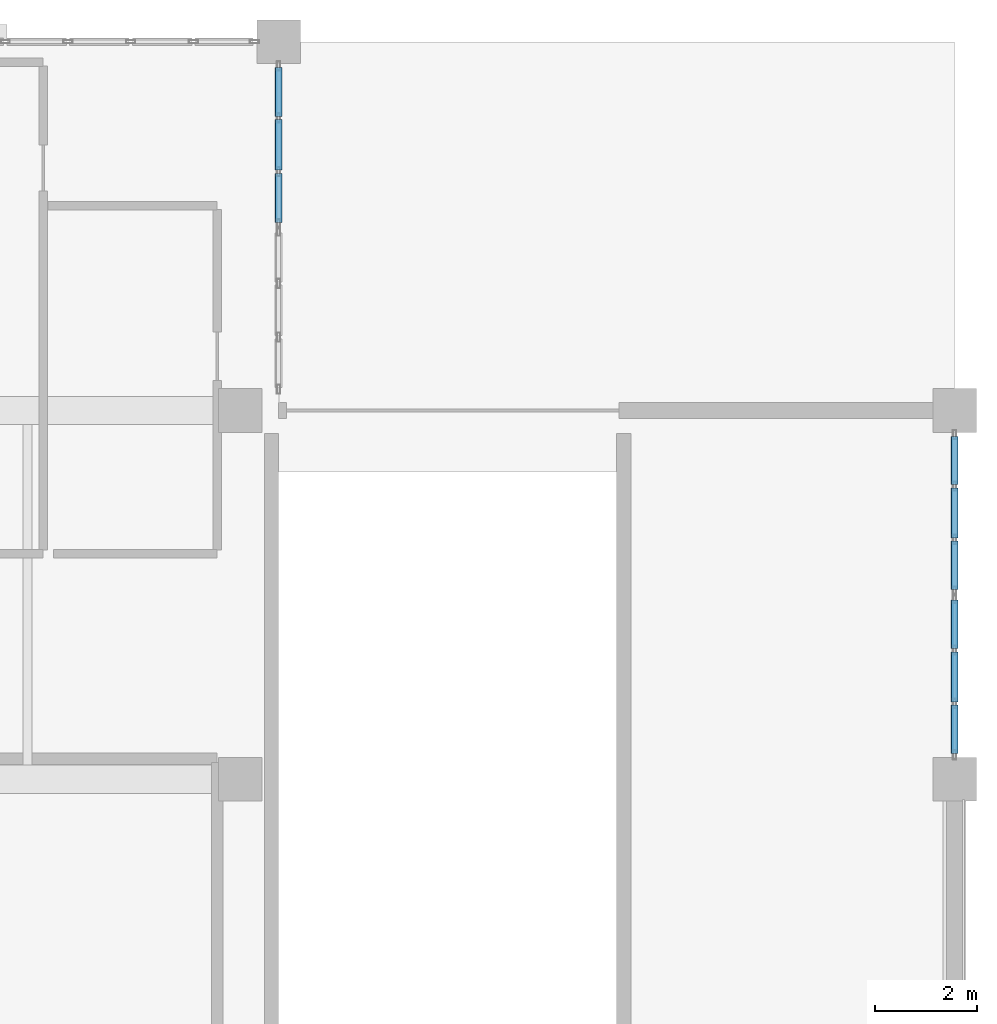
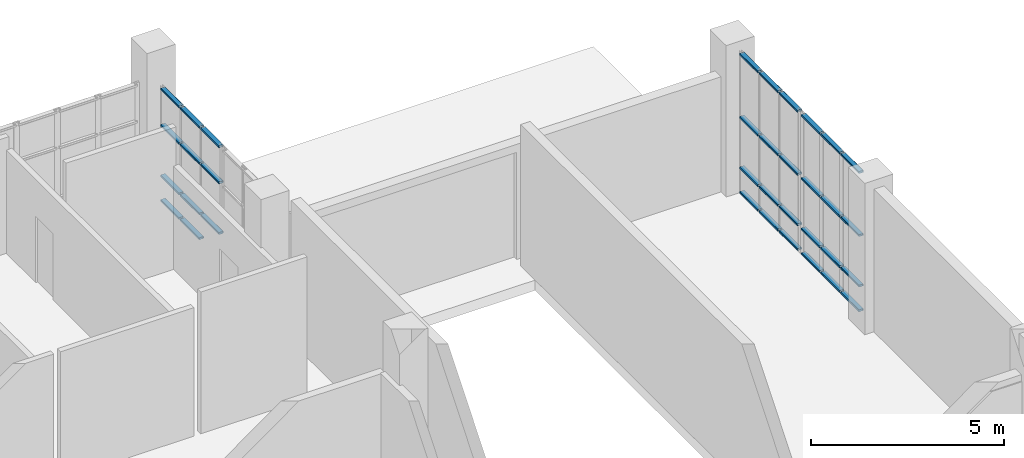
# One storey, part 47 of 97: 35 members, 3 elements without a shape of their own.
"""IFC4 building model written with IfcOpenShell, lengths in metres."""

from ifc_helpers import new_model, si_unit, direction, frame, origin, origin_2d, place, context, subcontext, project, spatial, hollow_rectangle, extrude, material, layer, layer_set, material_profile, profile_set, type_object, element, aggregate, save


model = new_model("IFC4")

# Units and contexts
model_context = context("Model", 3, precision=1e-05, world=origin(), true_north=direction((0.0, 1.0)))
body_context = subcontext(model_context, "Body", "Model", "MODEL_VIEW")
ifc_project = project(units=[si_unit("LENGTHUNIT", "METRE"), si_unit("AREAUNIT", "SQUARE_METRE"), si_unit("VOLUMEUNIT", "CUBIC_METRE"), si_unit("PLANEANGLEUNIT", "RADIAN"), si_unit("MASSUNIT", "GRAM", prefix="KILO")], contexts=[model_context])

# Site, building, storey
site_placement = place(None, origin())
site = spatial("IfcSite", under=ifc_project, at=site_placement, CompositionType="ELEMENT")
building_placement = place(site_placement, origin())
building = spatial("IfcBuilding", under=site, at=building_placement, Name="Kisaragi Civic Commons", CompositionType="ELEMENT")
storey_placement = place(building_placement, origin())
storey = spatial("IfcBuildingStorey", under=building, at=storey_placement, Name="L00", CompositionType="ELEMENT", Elevation=0.0)

# Curtain wall, members
ifc_material = material(Name="Thermally broken anodized aluminium and low-E double glazing", Category="aluminium")
ifc_layer = layer(ifc_material, 0.179931640625, Name="Thermally broken anodized aluminium and low-E double glazing", Category="aluminium")
ifc_layer_set = layer_set([ifc_layer], Name="Thermally broken anodized aluminium and low-E double glazing")
curtain_wall_type = type_object("IfcCurtainWallType", Name="CW-01", PredefinedType="NOTDEFINED", material=ifc_layer_set)
curtain_wall_1_placement = place(storey_placement, origin())
curtain_wall_1 = element("IfcCurtainWall", 1, at=curtain_wall_1_placement, inside=storey, type_object=curtain_wall_type, Name="L00 curtain wall CW-01 CW-V4-L00-051", PredefinedType="NOTDEFINED")
ifc_material_profile = material_profile(ifc_material, hollow_rectangle(XDim=0.139892578125, YDim=0.06494140625, WallThickness=0.00439453125, InnerFilletRadius=0.00439453125, OuterFilletRadius=0.009033203125, at=origin_2d()), Name="CWT-65x140x4.5", Category="aluminium")
ifc_profile_set = profile_set([ifc_material_profile], Name="Thermally broken anodized aluminium and low-E double glazing")
member_type = type_object("IfcMemberType", Name="CWT-02", PredefinedType="USERDEFINED", material=ifc_profile_set)
member_1_placement = place(storey_placement, frame((159.60009765625, 118.294921875, 0.070068359375), z_axis=(0.0, -1.0, 0.0), x_axis=(1.0, 0.0, 0.0)))
member_1 = element("IfcMember", 2, at=member_1_placement, type_object=member_type, Name="CW-01 transom 1.1", ObjectType="TRANSOM", PredefinedType="USERDEFINED", context=body_context, shape_type="SweptSolid", body=[
    extrude(hollow_rectangle(XDim=0.139892578125, YDim=0.06494140625, WallThickness=0.00439453125, InnerFilletRadius=0.00439453125, OuterFilletRadius=0.009033203125, at=origin_2d()), origin(), (0.0, 0.0, 1.0), 0.952392578125),
])
member_2_placement = place(storey_placement, frame((159.60009765625, 118.294921875, 0.85009765625), z_axis=(0.0, -1.0, 0.0), x_axis=(1.0, 0.0, 0.0)))
member_2 = element("IfcMember", 3, at=member_2_placement, type_object=member_type, Name="CW-01 transom 1.2", ObjectType="TRANSOM", PredefinedType="USERDEFINED", context=body_context, shape_type="SweptSolid", body=[
    extrude(hollow_rectangle(XDim=0.139892578125, YDim=0.06494140625, WallThickness=0.00439453125, InnerFilletRadius=0.00439453125, OuterFilletRadius=0.009033203125, at=origin_2d()), origin(), (0.0, 0.0, 1.0), 0.952392578125),
])
member_3_placement = place(storey_placement, frame((159.60009765625, 118.294921875, 2.449951171875), z_axis=(0.0, -1.0, 0.0), x_axis=(1.0, 0.0, 0.0)))
member_3 = element("IfcMember", 4, at=member_3_placement, type_object=member_type, Name="CW-01 transom 1.3", ObjectType="TRANSOM", PredefinedType="USERDEFINED", context=body_context, shape_type="SweptSolid", body=[
    extrude(hollow_rectangle(XDim=0.139892578125, YDim=0.06494140625, WallThickness=0.00439453125, InnerFilletRadius=0.00439453125, OuterFilletRadius=0.009033203125, at=origin_2d()), origin(), (0.0, 0.0, 1.0), 0.952392578125),
])
member_4_placement = place(storey_placement, frame((159.60009765625, 118.294921875, 3.60009765625), z_axis=(0.0, -1.0, 0.0), x_axis=(1.0, 0.0, 0.0)))
member_4 = element("IfcMember", 5, at=member_4_placement, type_object=member_type, Name="CW-01 transom 1.4", ObjectType="TRANSOM", PredefinedType="USERDEFINED", context=body_context, shape_type="SweptSolid", body=[
    extrude(hollow_rectangle(XDim=0.139892578125, YDim=0.06494140625, WallThickness=0.00439453125, InnerFilletRadius=0.00439453125, OuterFilletRadius=0.009033203125, at=origin_2d()), origin(), (0.0, 0.0, 1.0), 0.952392578125),
])
member_5_placement = place(storey_placement, frame((159.60009765625, 117.277587890625, 0.070068359375), z_axis=(0.0, -1.0, 0.0), x_axis=(1.0, 0.0, 0.0)))
member_5 = element("IfcMember", 6, at=member_5_placement, type_object=member_type, Name="CW-01 transom 2.1", ObjectType="TRANSOM", PredefinedType="USERDEFINED", context=body_context, shape_type="SweptSolid", body=[
    extrude(hollow_rectangle(XDim=0.139892578125, YDim=0.06494140625, WallThickness=0.00439453125, InnerFilletRadius=0.00439453125, OuterFilletRadius=0.009033203125, at=origin_2d()), origin(), (0.0, 0.0, 1.0), 0.985107421875),
])
member_6_placement = place(storey_placement, frame((159.60009765625, 117.277587890625, 0.85009765625), z_axis=(0.0, -1.0, 0.0), x_axis=(1.0, 0.0, 0.0)))
member_6 = element("IfcMember", 7, at=member_6_placement, type_object=member_type, Name="CW-01 transom 2.2", ObjectType="TRANSOM", PredefinedType="USERDEFINED", context=body_context, shape_type="SweptSolid", body=[
    extrude(hollow_rectangle(XDim=0.139892578125, YDim=0.06494140625, WallThickness=0.00439453125, InnerFilletRadius=0.00439453125, OuterFilletRadius=0.009033203125, at=origin_2d()), origin(), (0.0, 0.0, 1.0), 0.985107421875),
])
member_7_placement = place(storey_placement, frame((159.60009765625, 117.277587890625, 2.449951171875), z_axis=(0.0, -1.0, 0.0), x_axis=(1.0, 0.0, 0.0)))
member_7 = element("IfcMember", 8, at=member_7_placement, type_object=member_type, Name="CW-01 transom 2.3", ObjectType="TRANSOM", PredefinedType="USERDEFINED", context=body_context, shape_type="SweptSolid", body=[
    extrude(hollow_rectangle(XDim=0.139892578125, YDim=0.06494140625, WallThickness=0.00439453125, InnerFilletRadius=0.00439453125, OuterFilletRadius=0.009033203125, at=origin_2d()), origin(), (0.0, 0.0, 1.0), 0.985107421875),
])
member_8_placement = place(storey_placement, frame((159.60009765625, 117.277587890625, 3.60009765625), z_axis=(0.0, -1.0, 0.0), x_axis=(1.0, 0.0, 0.0)))
member_8 = element("IfcMember", 9, at=member_8_placement, type_object=member_type, Name="CW-01 transom 2.4", ObjectType="TRANSOM", PredefinedType="USERDEFINED", context=body_context, shape_type="SweptSolid", body=[
    extrude(hollow_rectangle(XDim=0.139892578125, YDim=0.06494140625, WallThickness=0.00439453125, InnerFilletRadius=0.00439453125, OuterFilletRadius=0.009033203125, at=origin_2d()), origin(), (0.0, 0.0, 1.0), 0.985107421875),
])
member_9_placement = place(storey_placement, frame((159.60009765625, 116.2275390625, 0.85009765625), z_axis=(0.0, -1.0, 0.0), x_axis=(1.0, 0.0, 0.0)))
member_9 = element("IfcMember", 10, at=member_9_placement, type_object=member_type, Name="CW-01 transom 3.2", ObjectType="TRANSOM", PredefinedType="USERDEFINED", context=body_context, shape_type="SweptSolid", body=[
    extrude(hollow_rectangle(XDim=0.139892578125, YDim=0.06494140625, WallThickness=0.00439453125, InnerFilletRadius=0.00439453125, OuterFilletRadius=0.009033203125, at=origin_2d()), origin(), (0.0, 0.0, 1.0), 0.95263671875),
])
member_10_placement = place(storey_placement, frame((159.60009765625, 116.2275390625, 2.449951171875), z_axis=(0.0, -1.0, 0.0), x_axis=(1.0, 0.0, 0.0)))
member_10 = element("IfcMember", 11, at=member_10_placement, type_object=member_type, Name="CW-01 transom 3.3", ObjectType="TRANSOM", PredefinedType="USERDEFINED", context=body_context, shape_type="SweptSolid", body=[
    extrude(hollow_rectangle(XDim=0.139892578125, YDim=0.06494140625, WallThickness=0.00439453125, InnerFilletRadius=0.00439453125, OuterFilletRadius=0.009033203125, at=origin_2d()), origin(), (0.0, 0.0, 1.0), 0.95263671875),
])
member_11_placement = place(storey_placement, frame((159.60009765625, 116.2275390625, 3.60009765625), z_axis=(0.0, -1.0, 0.0), x_axis=(1.0, 0.0, 0.0)))
member_11 = element("IfcMember", 12, at=member_11_placement, type_object=member_type, Name="CW-01 transom 3.4", ObjectType="TRANSOM", PredefinedType="USERDEFINED", context=body_context, shape_type="SweptSolid", body=[
    extrude(hollow_rectangle(XDim=0.139892578125, YDim=0.06494140625, WallThickness=0.00439453125, InnerFilletRadius=0.00439453125, OuterFilletRadius=0.009033203125, at=origin_2d()), origin(), (0.0, 0.0, 1.0), 0.95263671875),
])
aggregate(curtain_wall_1, [member_1, member_2, member_3, member_4, member_5, member_6, member_7, member_8, member_9, member_10, member_11])

curtain_wall_2_placement = place(storey_placement, origin())
curtain_wall_2 = element("IfcCurtainWall", 13, at=curtain_wall_2_placement, inside=storey, type_object=curtain_wall_type, Name="L00 curtain wall CW-01 CW-V4-L00-053", PredefinedType="NOTDEFINED")
member_12_placement = place(storey_placement, frame((172.800048828125, 111.094970703125, 0.070068359375), z_axis=(0.0, -1.0, 0.0), x_axis=(1.0, 0.0, 0.0)))
member_12 = element("IfcMember", 14, at=member_12_placement, type_object=member_type, Name="CW-01 transom 1.1", ObjectType="TRANSOM", PredefinedType="USERDEFINED", context=body_context, shape_type="SweptSolid", body=[
    extrude(hollow_rectangle(XDim=0.139892578125, YDim=0.06494140625, WallThickness=0.00439453125, InnerFilletRadius=0.00439453125, OuterFilletRadius=0.009033203125, at=origin_2d()), origin(), (0.0, 0.0, 1.0), 0.9423828125),
])
member_13_placement = place(storey_placement, frame((172.800048828125, 111.094970703125, 0.85009765625), z_axis=(0.0, -1.0, 0.0), x_axis=(1.0, 0.0, 0.0)))
member_13 = element("IfcMember", 15, at=member_13_placement, type_object=member_type, Name="CW-01 transom 1.2", ObjectType="TRANSOM", PredefinedType="USERDEFINED", context=body_context, shape_type="SweptSolid", body=[
    extrude(hollow_rectangle(XDim=0.139892578125, YDim=0.06494140625, WallThickness=0.00439453125, InnerFilletRadius=0.00439453125, OuterFilletRadius=0.009033203125, at=origin_2d()), origin(), (0.0, 0.0, 1.0), 0.9423828125),
])
member_14_placement = place(storey_placement, frame((172.800048828125, 111.094970703125, 2.449951171875), z_axis=(0.0, -1.0, 0.0), x_axis=(1.0, 0.0, 0.0)))
member_14 = element("IfcMember", 16, at=member_14_placement, type_object=member_type, Name="CW-01 transom 1.3", ObjectType="TRANSOM", PredefinedType="USERDEFINED", context=body_context, shape_type="SweptSolid", body=[
    extrude(hollow_rectangle(XDim=0.139892578125, YDim=0.06494140625, WallThickness=0.00439453125, InnerFilletRadius=0.00439453125, OuterFilletRadius=0.009033203125, at=origin_2d()), origin(), (0.0, 0.0, 1.0), 0.9423828125),
])
member_15_placement = place(storey_placement, frame((172.800048828125, 111.094970703125, 4.449951171875), z_axis=(0.0, -1.0, 0.0), x_axis=(1.0, 0.0, 0.0)))
member_15 = element("IfcMember", 17, at=member_15_placement, type_object=member_type, Name="CW-01 transom 1.4", ObjectType="TRANSOM", PredefinedType="USERDEFINED", context=body_context, shape_type="SweptSolid", body=[
    extrude(hollow_rectangle(XDim=0.139892578125, YDim=0.06494140625, WallThickness=0.00439453125, InnerFilletRadius=0.00439453125, OuterFilletRadius=0.009033203125, at=origin_2d()), origin(), (0.0, 0.0, 1.0), 0.9423828125),
])
member_16_placement = place(storey_placement, frame((172.800048828125, 110.08740234375, 0.070068359375), z_axis=(0.0, -1.0, 0.0), x_axis=(1.0, 0.0, 0.0)))
member_16 = element("IfcMember", 18, at=member_16_placement, type_object=member_type, Name="CW-01 transom 2.1", ObjectType="TRANSOM", PredefinedType="USERDEFINED", context=body_context, shape_type="SweptSolid", body=[
    extrude(hollow_rectangle(XDim=0.139892578125, YDim=0.06494140625, WallThickness=0.00439453125, InnerFilletRadius=0.00439453125, OuterFilletRadius=0.009033203125, at=origin_2d()), origin(), (0.0, 0.0, 1.0), 0.974853515625),
])
member_17_placement = place(storey_placement, frame((172.800048828125, 110.08740234375, 0.85009765625), z_axis=(0.0, -1.0, 0.0), x_axis=(1.0, 0.0, 0.0)))
member_17 = element("IfcMember", 19, at=member_17_placement, type_object=member_type, Name="CW-01 transom 2.2", ObjectType="TRANSOM", PredefinedType="USERDEFINED", context=body_context, shape_type="SweptSolid", body=[
    extrude(hollow_rectangle(XDim=0.139892578125, YDim=0.06494140625, WallThickness=0.00439453125, InnerFilletRadius=0.00439453125, OuterFilletRadius=0.009033203125, at=origin_2d()), origin(), (0.0, 0.0, 1.0), 0.974853515625),
])
member_18_placement = place(storey_placement, frame((172.800048828125, 110.08740234375, 2.449951171875), z_axis=(0.0, -1.0, 0.0), x_axis=(1.0, 0.0, 0.0)))
member_18 = element("IfcMember", 20, at=member_18_placement, type_object=member_type, Name="CW-01 transom 2.3", ObjectType="TRANSOM", PredefinedType="USERDEFINED", context=body_context, shape_type="SweptSolid", body=[
    extrude(hollow_rectangle(XDim=0.139892578125, YDim=0.06494140625, WallThickness=0.00439453125, InnerFilletRadius=0.00439453125, OuterFilletRadius=0.009033203125, at=origin_2d()), origin(), (0.0, 0.0, 1.0), 0.974853515625),
])
member_19_placement = place(storey_placement, frame((172.800048828125, 110.08740234375, 4.449951171875), z_axis=(0.0, -1.0, 0.0), x_axis=(1.0, 0.0, 0.0)))
member_19 = element("IfcMember", 21, at=member_19_placement, type_object=member_type, Name="CW-01 transom 2.4", ObjectType="TRANSOM", PredefinedType="USERDEFINED", context=body_context, shape_type="SweptSolid", body=[
    extrude(hollow_rectangle(XDim=0.139892578125, YDim=0.06494140625, WallThickness=0.00439453125, InnerFilletRadius=0.00439453125, OuterFilletRadius=0.009033203125, at=origin_2d()), origin(), (0.0, 0.0, 1.0), 0.974853515625),
])
member_20_placement = place(storey_placement, frame((172.800048828125, 109.047607421875, 0.070068359375), z_axis=(0.0, -1.0, 0.0), x_axis=(1.0, 0.0, 0.0)))
member_20 = element("IfcMember", 22, at=member_20_placement, type_object=member_type, Name="CW-01 transom 3.1", ObjectType="TRANSOM", PredefinedType="USERDEFINED", context=body_context, shape_type="SweptSolid", body=[
    extrude(hollow_rectangle(XDim=0.139892578125, YDim=0.06494140625, WallThickness=0.00439453125, InnerFilletRadius=0.00439453125, OuterFilletRadius=0.009033203125, at=origin_2d()), origin(), (0.0, 0.0, 1.0), 0.942626953125),
])
member_21_placement = place(storey_placement, frame((172.800048828125, 109.047607421875, 0.85009765625), z_axis=(0.0, -1.0, 0.0), x_axis=(1.0, 0.0, 0.0)))
member_21 = element("IfcMember", 23, at=member_21_placement, type_object=member_type, Name="CW-01 transom 3.2", ObjectType="TRANSOM", PredefinedType="USERDEFINED", context=body_context, shape_type="SweptSolid", body=[
    extrude(hollow_rectangle(XDim=0.139892578125, YDim=0.06494140625, WallThickness=0.00439453125, InnerFilletRadius=0.00439453125, OuterFilletRadius=0.009033203125, at=origin_2d()), origin(), (0.0, 0.0, 1.0), 0.942626953125),
])
member_22_placement = place(storey_placement, frame((172.800048828125, 109.047607421875, 2.449951171875), z_axis=(0.0, -1.0, 0.0), x_axis=(1.0, 0.0, 0.0)))
member_22 = element("IfcMember", 24, at=member_22_placement, type_object=member_type, Name="CW-01 transom 3.3", ObjectType="TRANSOM", PredefinedType="USERDEFINED", context=body_context, shape_type="SweptSolid", body=[
    extrude(hollow_rectangle(XDim=0.139892578125, YDim=0.06494140625, WallThickness=0.00439453125, InnerFilletRadius=0.00439453125, OuterFilletRadius=0.009033203125, at=origin_2d()), origin(), (0.0, 0.0, 1.0), 0.942626953125),
])
member_23_placement = place(storey_placement, frame((172.800048828125, 109.047607421875, 4.449951171875), z_axis=(0.0, -1.0, 0.0), x_axis=(1.0, 0.0, 0.0)))
member_23 = element("IfcMember", 25, at=member_23_placement, type_object=member_type, Name="CW-01 transom 3.4", ObjectType="TRANSOM", PredefinedType="USERDEFINED", context=body_context, shape_type="SweptSolid", body=[
    extrude(hollow_rectangle(XDim=0.139892578125, YDim=0.06494140625, WallThickness=0.00439453125, InnerFilletRadius=0.00439453125, OuterFilletRadius=0.009033203125, at=origin_2d()), origin(), (0.0, 0.0, 1.0), 0.942626953125),
])
aggregate(curtain_wall_2, [member_12, member_13, member_14, member_15, member_16, member_17, member_18, member_19, member_20, member_21, member_22, member_23])

curtain_wall_3_placement = place(storey_placement, origin())
curtain_wall_3 = element("IfcCurtainWall", 26, at=curtain_wall_3_placement, inside=storey, type_object=curtain_wall_type, Name="L00 curtain wall CW-01 CW-V4-L00-054", PredefinedType="NOTDEFINED")
member_24_placement = place(storey_placement, frame((172.800048828125, 107.89501953125, 0.070068359375), z_axis=(0.0, -1.0, 0.0), x_axis=(1.0, 0.0, 0.0)))
member_24 = element("IfcMember", 27, at=member_24_placement, type_object=member_type, Name="CW-01 transom 1.1", ObjectType="TRANSOM", PredefinedType="USERDEFINED", context=body_context, shape_type="SweptSolid", body=[
    extrude(hollow_rectangle(XDim=0.139892578125, YDim=0.06494140625, WallThickness=0.00439453125, InnerFilletRadius=0.00439453125, OuterFilletRadius=0.009033203125, at=origin_2d()), origin(), (0.0, 0.0, 1.0), 0.942626953125),
])
member_25_placement = place(storey_placement, frame((172.800048828125, 107.89501953125, 0.85009765625), z_axis=(0.0, -1.0, 0.0), x_axis=(1.0, 0.0, 0.0)))
member_25 = element("IfcMember", 28, at=member_25_placement, type_object=member_type, Name="CW-01 transom 1.2", ObjectType="TRANSOM", PredefinedType="USERDEFINED", context=body_context, shape_type="SweptSolid", body=[
    extrude(hollow_rectangle(XDim=0.139892578125, YDim=0.06494140625, WallThickness=0.00439453125, InnerFilletRadius=0.00439453125, OuterFilletRadius=0.009033203125, at=origin_2d()), origin(), (0.0, 0.0, 1.0), 0.942626953125),
])
member_26_placement = place(storey_placement, frame((172.800048828125, 107.89501953125, 2.449951171875), z_axis=(0.0, -1.0, 0.0), x_axis=(1.0, 0.0, 0.0)))
member_26 = element("IfcMember", 29, at=member_26_placement, type_object=member_type, Name="CW-01 transom 1.3", ObjectType="TRANSOM", PredefinedType="USERDEFINED", context=body_context, shape_type="SweptSolid", body=[
    extrude(hollow_rectangle(XDim=0.139892578125, YDim=0.06494140625, WallThickness=0.00439453125, InnerFilletRadius=0.00439453125, OuterFilletRadius=0.009033203125, at=origin_2d()), origin(), (0.0, 0.0, 1.0), 0.942626953125),
])
member_27_placement = place(storey_placement, frame((172.800048828125, 107.89501953125, 4.449951171875), z_axis=(0.0, -1.0, 0.0), x_axis=(1.0, 0.0, 0.0)))
member_27 = element("IfcMember", 30, at=member_27_placement, type_object=member_type, Name="CW-01 transom 1.4", ObjectType="TRANSOM", PredefinedType="USERDEFINED", context=body_context, shape_type="SweptSolid", body=[
    extrude(hollow_rectangle(XDim=0.139892578125, YDim=0.06494140625, WallThickness=0.00439453125, InnerFilletRadius=0.00439453125, OuterFilletRadius=0.009033203125, at=origin_2d()), origin(), (0.0, 0.0, 1.0), 0.942626953125),
])
member_28_placement = place(storey_placement, frame((172.800048828125, 106.887451171875, 0.070068359375), z_axis=(0.0, -1.0, 0.0), x_axis=(1.0, 0.0, 0.0)))
member_28 = element("IfcMember", 31, at=member_28_placement, type_object=member_type, Name="CW-01 transom 2.1", ObjectType="TRANSOM", PredefinedType="USERDEFINED", context=body_context, shape_type="SweptSolid", body=[
    extrude(hollow_rectangle(XDim=0.139892578125, YDim=0.06494140625, WallThickness=0.00439453125, InnerFilletRadius=0.00439453125, OuterFilletRadius=0.009033203125, at=origin_2d()), origin(), (0.0, 0.0, 1.0), 0.974853515625),
])
member_29_placement = place(storey_placement, frame((172.800048828125, 106.887451171875, 0.85009765625), z_axis=(0.0, -1.0, 0.0), x_axis=(1.0, 0.0, 0.0)))
member_29 = element("IfcMember", 32, at=member_29_placement, type_object=member_type, Name="CW-01 transom 2.2", ObjectType="TRANSOM", PredefinedType="USERDEFINED", context=body_context, shape_type="SweptSolid", body=[
    extrude(hollow_rectangle(XDim=0.139892578125, YDim=0.06494140625, WallThickness=0.00439453125, InnerFilletRadius=0.00439453125, OuterFilletRadius=0.009033203125, at=origin_2d()), origin(), (0.0, 0.0, 1.0), 0.974853515625),
])
member_30_placement = place(storey_placement, frame((172.800048828125, 106.887451171875, 2.449951171875), z_axis=(0.0, -1.0, 0.0), x_axis=(1.0, 0.0, 0.0)))
member_30 = element("IfcMember", 33, at=member_30_placement, type_object=member_type, Name="CW-01 transom 2.3", ObjectType="TRANSOM", PredefinedType="USERDEFINED", context=body_context, shape_type="SweptSolid", body=[
    extrude(hollow_rectangle(XDim=0.139892578125, YDim=0.06494140625, WallThickness=0.00439453125, InnerFilletRadius=0.00439453125, OuterFilletRadius=0.009033203125, at=origin_2d()), origin(), (0.0, 0.0, 1.0), 0.974853515625),
])
member_31_placement = place(storey_placement, frame((172.800048828125, 106.887451171875, 4.449951171875), z_axis=(0.0, -1.0, 0.0), x_axis=(1.0, 0.0, 0.0)))
member_31 = element("IfcMember", 34, at=member_31_placement, type_object=member_type, Name="CW-01 transom 2.4", ObjectType="TRANSOM", PredefinedType="USERDEFINED", context=body_context, shape_type="SweptSolid", body=[
    extrude(hollow_rectangle(XDim=0.139892578125, YDim=0.06494140625, WallThickness=0.00439453125, InnerFilletRadius=0.00439453125, OuterFilletRadius=0.009033203125, at=origin_2d()), origin(), (0.0, 0.0, 1.0), 0.974853515625),
])
member_32_placement = place(storey_placement, frame((172.800048828125, 105.847412109375, 0.070068359375), z_axis=(0.0, -1.0, 0.0), x_axis=(1.0, 0.0, 0.0)))
member_32 = element("IfcMember", 35, at=member_32_placement, type_object=member_type, Name="CW-01 transom 3.1", ObjectType="TRANSOM", PredefinedType="USERDEFINED", context=body_context, shape_type="SweptSolid", body=[
    extrude(hollow_rectangle(XDim=0.139892578125, YDim=0.06494140625, WallThickness=0.00439453125, InnerFilletRadius=0.00439453125, OuterFilletRadius=0.009033203125, at=origin_2d()), origin(), (0.0, 0.0, 1.0), 0.9423828125),
])
member_33_placement = place(storey_placement, frame((172.800048828125, 105.847412109375, 0.85009765625), z_axis=(0.0, -1.0, 0.0), x_axis=(1.0, 0.0, 0.0)))
member_33 = element("IfcMember", 36, at=member_33_placement, type_object=member_type, Name="CW-01 transom 3.2", ObjectType="TRANSOM", PredefinedType="USERDEFINED", context=body_context, shape_type="SweptSolid", body=[
    extrude(hollow_rectangle(XDim=0.139892578125, YDim=0.06494140625, WallThickness=0.00439453125, InnerFilletRadius=0.00439453125, OuterFilletRadius=0.009033203125, at=origin_2d()), origin(), (0.0, 0.0, 1.0), 0.9423828125),
])
member_34_placement = place(storey_placement, frame((172.800048828125, 105.847412109375, 2.449951171875), z_axis=(0.0, -1.0, 0.0), x_axis=(1.0, 0.0, 0.0)))
member_34 = element("IfcMember", 37, at=member_34_placement, type_object=member_type, Name="CW-01 transom 3.3", ObjectType="TRANSOM", PredefinedType="USERDEFINED", context=body_context, shape_type="SweptSolid", body=[
    extrude(hollow_rectangle(XDim=0.139892578125, YDim=0.06494140625, WallThickness=0.00439453125, InnerFilletRadius=0.00439453125, OuterFilletRadius=0.009033203125, at=origin_2d()), origin(), (0.0, 0.0, 1.0), 0.9423828125),
])
member_35_placement = place(storey_placement, frame((172.800048828125, 105.847412109375, 4.449951171875), z_axis=(0.0, -1.0, 0.0), x_axis=(1.0, 0.0, 0.0)))
member_35 = element("IfcMember", 38, at=member_35_placement, type_object=member_type, Name="CW-01 transom 3.4", ObjectType="TRANSOM", PredefinedType="USERDEFINED", context=body_context, shape_type="SweptSolid", body=[
    extrude(hollow_rectangle(XDim=0.139892578125, YDim=0.06494140625, WallThickness=0.00439453125, InnerFilletRadius=0.00439453125, OuterFilletRadius=0.009033203125, at=origin_2d()), origin(), (0.0, 0.0, 1.0), 0.9423828125),
])
aggregate(curtain_wall_3, [member_24, member_25, member_26, member_27, member_28, member_29, member_30, member_31, member_32, member_33, member_34, member_35])

save(model, "model.ifc")
